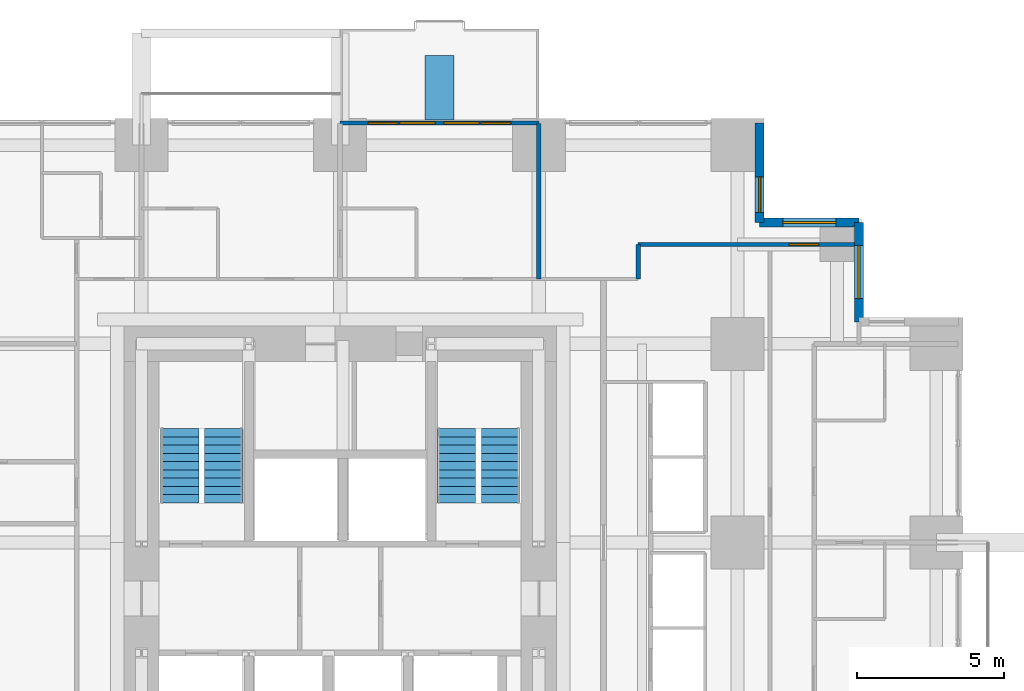
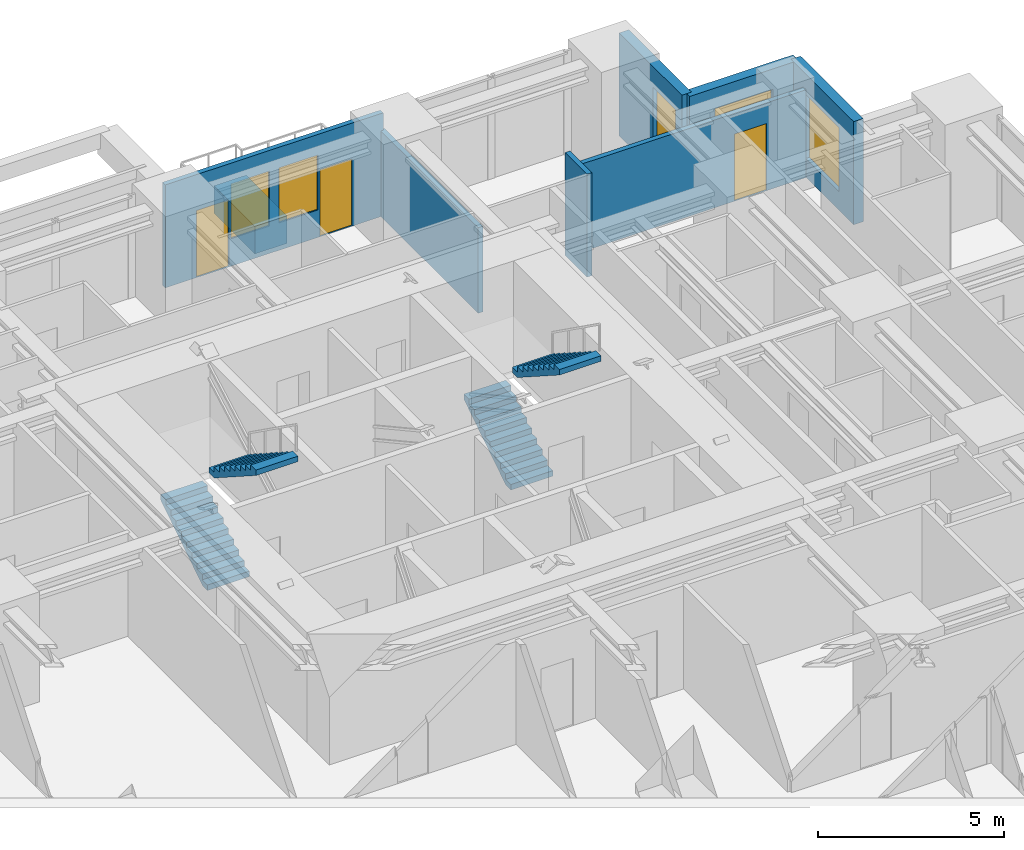
# One storey, part 11 of 12: 8 walls, 5 windows, 4 stair flights, 3 doors, 8 openings, 2 elements without a shape of their own.
"""IFC4 building model written with IfcOpenShell, lengths in metres."""

from ifc_helpers import new_model, si_unit, direction, frame, frame_2d, origin, place, context, subcontext, project, spatial, polyline, rectangle, outline, extrude, material, layer, layer_set, type_object, element, fill, aggregate, save


model = new_model("IFC4")

# Units and contexts
model_context = context("Model", 3, precision=1e-05, world=origin(), true_north=direction((0.0, 1.0)))
body_context = subcontext(model_context, "Body", "Model", "MODEL_VIEW")
ifc_project = project(units=[si_unit("LENGTHUNIT", "METRE"), si_unit("AREAUNIT", "SQUARE_METRE"), si_unit("VOLUMEUNIT", "CUBIC_METRE"), si_unit("PLANEANGLEUNIT", "RADIAN"), si_unit("MASSUNIT", "GRAM", prefix="KILO")], contexts=[model_context])

# Site, building, storey
site_placement = place(None, origin())
site = spatial("IfcSite", under=ifc_project, at=site_placement, CompositionType="ELEMENT")
building_placement = place(site_placement, origin())
building = spatial("IfcBuilding", under=site, at=building_placement, Name="Nyansa Garden Tower", CompositionType="ELEMENT")
storey_placement = place(building_placement, frame((0.0, 0.0, 90.89990234375)))
storey = spatial("IfcBuildingStorey", under=building, at=storey_placement, Name="L24", CompositionType="ELEMENT", Elevation=90.89990234375)

# Wall, openings, doors, windows
ifc_material_1 = material(Name="Black aluminium framed glazed screen", Category="aluminium")
ifc_layer_1 = layer(ifc_material_1, 0.14990234375)
ifc_layer_set_1 = layer_set([ifc_layer_1], Name="Balcony screen wall BW150")
wall_type_1 = type_object("IfcWallType", Name="Balcony screen wall BW150", PredefinedType="SOLIDWALL", material=ifc_layer_set_1)
wall_1_placement = place(storey_placement, frame((20.25, 34.5, 0.0), z_axis=(0.0, 0.0, 1.0), x_axis=(1.0, 0.0, 0.0)))
wall_1 = element("IfcWall", 1, at=wall_1_placement, inside=storey, type_object=wall_type_1, Name="Glazed screen wall L24 N", PredefinedType="SOLIDWALL", context=body_context, shape_type="SweptSolid", body=[
    extrude(rectangle(XDim=6.75, YDim=0.14990234375, at=frame_2d((3.375, 0.0))), origin(), (0.0, 0.0, 1.0), 3.375),
])
opening_1_placement = place(wall_1_placement, frame((0.96240234375, 0.0, 0.0)))
opening_1 = element("IfcOpeningElement", 2, at=opening_1_placement, cuts=wall_1, Name="Opening D20", PredefinedType="OPENING", context=body_context, shape_type="SweptSolid", body=[
    extrude(rectangle(XDim=1.0, YDim=2.199951171875, at=frame_2d((0.5, 1.10009765625))), frame((0.0, 0.0849609375, 0.0), z_axis=(0.0, -1.0, 0.0), x_axis=(1.0, 0.0, 0.0)), (0.0, 0.0, 1.0), 0.169921875),
])
opening_2_placement = place(wall_1_placement, frame((2.02490234375, 0.0, 0.89990234375)))
opening_2 = element("IfcOpeningElement", 3, at=opening_2_placement, cuts=wall_1, Name="Opening W6", PredefinedType="OPENING", context=body_context, shape_type="SweptSolid", body=[
    extrude(rectangle(XDim=1.199951171875, YDim=1.800048828125, at=frame_2d((0.60009765625, 0.89990234375))), frame((0.0, 0.0849609375, 0.0), z_axis=(0.0, -1.0, 0.0), x_axis=(1.0, 0.0, 0.0)), (0.0, 0.0, 1.0), 0.169921875),
])
opening_3_placement = place(wall_1_placement, frame((4.78759765625, 0.0, 0.0)))
opening_3 = element("IfcOpeningElement", 4, at=opening_3_placement, cuts=wall_1, Name="Opening D20", PredefinedType="OPENING", context=body_context, shape_type="SweptSolid", body=[
    extrude(rectangle(XDim=1.0, YDim=2.199951171875, at=frame_2d((0.5, 1.10009765625))), frame((0.0, 0.0849609375, 0.0), z_axis=(0.0, -1.0, 0.0), x_axis=(1.0, 0.0, 0.0)), (0.0, 0.0, 1.0), 0.169921875),
])
opening_4_placement = place(wall_1_placement, frame((3.52490234375, 0.0, 0.89990234375)))
opening_4 = element("IfcOpeningElement", 5, at=opening_4_placement, cuts=wall_1, Name="Opening W6", PredefinedType="OPENING", context=body_context, shape_type="SweptSolid", body=[
    extrude(rectangle(XDim=1.199951171875, YDim=1.800048828125, at=frame_2d((0.60009765625, 0.89990234375))), frame((0.0, 0.0849609375, 0.0), z_axis=(0.0, -1.0, 0.0), x_axis=(1.0, 0.0, 0.0)), (0.0, 0.0, 1.0), 0.169921875),
])
ifc_material_2 = material(Name="Black aluminium framed glazed door", Category="aluminium")
door_type_1 = type_object("IfcDoorType", Name="Balcony door D20 1000x2200", OperationType="NOTDEFINED", PredefinedType="DOOR", material=ifc_material_2)
door_1_placement = place(opening_1_placement, origin())
door_1 = element("IfcDoor", 6, at=door_1_placement, inside=storey, type_object=door_type_1, Name="Balcony door L24", OperationType="SINGLE_SWING_LEFT", OverallHeight=2.199951171875, OverallWidth=1.0, PredefinedType="DOOR", context=body_context, shape_type="SweptSolid", body=[
    extrude(rectangle(XDim=1.0, YDim=2.199951171875, at=frame_2d((0.5, 1.10009765625))), frame((0.0, 0.02490234375, 0.0), z_axis=(0.0, -1.0, 0.0), x_axis=(1.0, 0.0, 0.0)), (0.0, 0.0, 1.0), 0.050048828125),
])
fill(opening_1, door_1)
door_2_placement = place(opening_3_placement, origin())
door_2 = element("IfcDoor", 7, at=door_2_placement, inside=storey, type_object=door_type_1, Name="Balcony door L24", OperationType="SINGLE_SWING_RIGHT", OverallHeight=2.199951171875, OverallWidth=1.0, PredefinedType="DOOR", context=body_context, shape_type="SweptSolid", body=[
    extrude(rectangle(XDim=1.0, YDim=2.199951171875, at=frame_2d((0.5, 1.10009765625))), frame((0.0, 0.02490234375, 0.0), z_axis=(0.0, -1.0, 0.0), x_axis=(1.0, 0.0, 0.0)), (0.0, 0.0, 1.0), 0.050048828125),
])
fill(opening_3, door_2)
ifc_material_3 = material(Name="Black aluminium frame, dark tinted double glazing", Category="aluminium")
window_type_1 = type_object("IfcWindowType", Name="Balcony window W6 1200x1800", PartitioningType="SINGLE_PANEL", PredefinedType="WINDOW", material=ifc_material_3)
window_1_placement = place(opening_2_placement, origin())
window_1 = element("IfcWindow", 8, at=window_1_placement, inside=storey, type_object=window_type_1, Name="Window L24", OverallHeight=1.800048828125, OverallWidth=1.199951171875, PartitioningType="SINGLE_PANEL", PredefinedType="WINDOW", context=body_context, shape_type="SweptSolid", body=[
    extrude(rectangle(XDim=1.199951171875, YDim=1.800048828125, at=frame_2d((0.60009765625, 0.89990234375))), frame((0.0, 0.030029296875, 0.0), z_axis=(0.0, -1.0, 0.0), x_axis=(1.0, 0.0, 0.0)), (0.0, 0.0, 1.0), 0.06005859375),
])
fill(opening_2, window_1)
window_2_placement = place(opening_4_placement, origin())
window_2 = element("IfcWindow", 9, at=window_2_placement, inside=storey, type_object=window_type_1, Name="Window L24", OverallHeight=1.800048828125, OverallWidth=1.199951171875, PartitioningType="SINGLE_PANEL", PredefinedType="WINDOW", context=body_context, shape_type="SweptSolid", body=[
    extrude(rectangle(XDim=1.199951171875, YDim=1.800048828125, at=frame_2d((0.60009765625, 0.89990234375))), frame((0.0, 0.030029296875, 0.0), z_axis=(0.0, -1.0, 0.0), x_axis=(1.0, 0.0, 0.0)), (0.0, 0.0, 1.0), 0.06005859375),
])
fill(opening_4, window_2)

# Walls
ifc_material_4 = material(Name="Blockwork, plastered both sides", Category="masonry")
ifc_layer_2 = layer(ifc_material_4, 0.14990234375)
ifc_layer_set_2 = layer_set([ifc_layer_2], Name="Partition PW150")
wall_type_2 = type_object("IfcWallType", Name="Partition PW150", PredefinedType="PARTITIONING", material=ifc_layer_set_2)
wall_2_placement = place(storey_placement, frame((27.0, 29.199951171875, 0.0), z_axis=(0.0, 0.0, 1.0), x_axis=(0.0, 1.0, 0.0)))
element("IfcWall", 10, at=wall_2_placement, inside=storey, type_object=wall_type_2, Name="Partition", PredefinedType="PARTITIONING", context=body_context, shape_type="SweptSolid", body=[
    extrude(rectangle(XDim=5.283935546875, YDim=0.14990234375, at=frame_2d((2.64208984375, 0.0))), origin(), (0.0, 0.0, 1.0), 2.80615234375),
])
wall_3_placement = place(storey_placement, frame((30.375, 29.199951171875, 0.0), z_axis=(0.0, 0.0, 1.0), x_axis=(0.0, 1.0, 0.0)))
element("IfcWall", 11, at=wall_3_placement, inside=storey, type_object=wall_type_2, Name="Partition", PredefinedType="PARTITIONING", context=body_context, shape_type="SweptSolid", body=[
    extrude(rectangle(XDim=1.175048828125, YDim=0.14990234375, at=frame_2d((0.58740234375, 0.0))), origin(), (0.0, 0.0, 1.0), 3.375),
])

# Wall, opening, door
wall_4_placement = place(storey_placement, frame((30.375, 30.375, 0.0), z_axis=(0.0, 0.0, 1.0), x_axis=(1.0, 0.0, 0.0)))
wall_4 = element("IfcWall", 12, at=wall_4_placement, inside=storey, type_object=wall_type_2, Name="Partition", PredefinedType="PARTITIONING", context=body_context, shape_type="SweptSolid", body=[
    extrude(rectangle(XDim=7.35009765625, YDim=0.14990234375, at=frame_2d((3.675048828125, 0.0))), origin(), (0.0, 0.0, 1.0), 2.877197265625),
])
opening_5_placement = place(wall_4_placement, frame((5.125, 0.0, 0.0)))
opening_5 = element("IfcOpeningElement", 13, at=opening_5_placement, cuts=wall_4, Name="Opening D03", PredefinedType="OPENING", context=body_context, shape_type="SweptSolid", body=[
    extrude(rectangle(XDim=1.0, YDim=2.199951171875, at=frame_2d((0.5, 1.10009765625))), frame((0.0, 0.0849609375, 0.0), z_axis=(0.0, -1.0, 0.0), x_axis=(1.0, 0.0, 0.0)), (0.0, 0.0, 1.0), 0.169921875),
])
ifc_material_5 = material(Name="Timber flush door, 60 minute fire resisting", Category="wood")
door_type_2 = type_object("IfcDoorType", Name="Cluster entrance door D03 1000x2200", OperationType="SINGLE_SWING_LEFT", PredefinedType="DOOR", material=ifc_material_5)
door_3_placement = place(opening_5_placement, origin())
door_3 = element("IfcDoor", 14, at=door_3_placement, inside=storey, type_object=door_type_2, Name="Door L24-044", OperationType="SINGLE_SWING_LEFT", OverallHeight=2.199951171875, OverallWidth=1.0, PredefinedType="DOOR", context=body_context, shape_type="SweptSolid", body=[
    extrude(rectangle(XDim=1.0, YDim=2.199951171875, at=frame_2d((0.5, 1.10009765625))), frame((0.0, 0.02490234375, 0.0), z_axis=(0.0, -1.0, 0.0), x_axis=(1.0, 0.0, 0.0)), (0.0, 0.0, 1.0), 0.050048828125),
])
fill(opening_5, door_3)

# Wall, opening, window
ifc_material_6 = material(Name="Turquoise glazed tile on concrete blockwork", Category="masonry")
ifc_layer_3 = layer(ifc_material_6, 0.300048828125)
ifc_layer_set_3 = layer_set([ifc_layer_3], Name="Tiled corner wall TW300")
wall_type_3 = type_object("IfcWallType", Name="Tiled corner wall TW300", PredefinedType="SOLIDWALL", material=ifc_layer_set_3)
wall_5_placement = place(storey_placement, frame((37.875, 27.75, 0.0), z_axis=(0.0, 0.0, 1.0), x_axis=(0.0, 1.0, 0.0)))
wall_5 = element("IfcWall", 15, at=wall_5_placement, inside=storey, type_object=wall_type_3, Name="Tiled corner wall L24", PredefinedType="SOLIDWALL", context=body_context, shape_type="SweptSolid", body=[
    extrude(rectangle(XDim=3.375, YDim=0.300048828125, at=frame_2d((1.6875, 0.0))), origin(), (0.0, 0.0, 1.0), 3.375),
])
opening_6_placement = place(wall_5_placement, frame((0.78759765625, 0.0, 0.60009765625)))
opening_6 = element("IfcOpeningElement", 16, at=opening_6_placement, cuts=wall_5, Name="Opening W2", PredefinedType="OPENING", context=body_context, shape_type="SweptSolid", body=[
    extrude(rectangle(XDim=1.800048828125, YDim=2.10009765625, at=frame_2d((0.89990234375, 1.050048828125))), frame((0.0, 0.159912109375, 0.0), z_axis=(0.0, -1.0, 0.0), x_axis=(1.0, 0.0, 0.0)), (0.0, 0.0, 1.0), 0.320068359375),
])
ifc_material_7 = material(Name="Black aluminium frame, dark tinted double glazing", Category="aluminium")
window_type_2 = type_object("IfcWindowType", Name="Window W2 1800x2100", PartitioningType="SINGLE_PANEL", PredefinedType="WINDOW", material=ifc_material_7)
window_3_placement = place(opening_6_placement, origin())
window_3 = element("IfcWindow", 17, at=window_3_placement, inside=storey, type_object=window_type_2, Name="Corner window L24", OverallHeight=2.10009765625, OverallWidth=1.800048828125, PartitioningType="SINGLE_PANEL", PredefinedType="WINDOW", context=body_context, shape_type="SweptSolid", body=[
    extrude(rectangle(XDim=1.800048828125, YDim=2.10009765625, at=frame_2d((0.89990234375, 1.050048828125))), frame((0.0, 0.030029296875, 0.0), z_axis=(0.0, -1.0, 0.0), x_axis=(1.0, 0.0, 0.0)), (0.0, 0.0, 1.0), 0.06005859375),
])
fill(opening_6, window_3)

wall_6_placement = place(storey_placement, frame((37.875, 31.125, 0.0), z_axis=(0.0, 0.0, 1.0), x_axis=(-1.0, 0.0, 0.0)))
wall_6 = element("IfcWall", 18, at=wall_6_placement, inside=storey, type_object=wall_type_3, Name="Tiled corner wall L24", PredefinedType="SOLIDWALL", context=body_context, shape_type="SweptSolid", body=[
    extrude(rectangle(XDim=3.375, YDim=0.300048828125, at=frame_2d((1.6875, 0.0))), origin(), (0.0, 0.0, 1.0), 3.375),
])
opening_7_placement = place(wall_6_placement, frame((0.78759765625, 0.0, 0.60009765625)))
opening_7 = element("IfcOpeningElement", 19, at=opening_7_placement, cuts=wall_6, Name="Opening W2", PredefinedType="OPENING", context=body_context, shape_type="SweptSolid", body=[
    extrude(rectangle(XDim=1.800048828125, YDim=2.10009765625, at=frame_2d((0.89990234375, 1.050048828125))), frame((0.0, 0.159912109375, 0.0), z_axis=(0.0, -1.0, 0.0), x_axis=(1.0, 0.0, 0.0)), (0.0, 0.0, 1.0), 0.320068359375),
])
window_4_placement = place(opening_7_placement, origin())
window_4 = element("IfcWindow", 20, at=window_4_placement, inside=storey, type_object=window_type_2, Name="Corner window L24", OverallHeight=2.10009765625, OverallWidth=1.800048828125, PartitioningType="SINGLE_PANEL", PredefinedType="WINDOW", context=body_context, shape_type="SweptSolid", body=[
    extrude(rectangle(XDim=1.800048828125, YDim=2.10009765625, at=frame_2d((0.89990234375, 1.050048828125))), frame((0.0, 0.030029296875, 0.0), z_axis=(0.0, -1.0, 0.0), x_axis=(1.0, 0.0, 0.0)), (0.0, 0.0, 1.0), 0.06005859375),
])
fill(opening_7, window_4)

wall_7_placement = place(storey_placement, frame((34.5, 31.125, 0.0), z_axis=(0.0, 0.0, 1.0), x_axis=(0.0, 1.0, 0.0)))
wall_7 = element("IfcWall", 21, at=wall_7_placement, inside=storey, type_object=wall_type_3, Name="Tiled corner wall L24", PredefinedType="SOLIDWALL", context=body_context, shape_type="SweptSolid", body=[
    extrude(rectangle(XDim=3.375, YDim=0.300048828125, at=frame_2d((1.6875, 0.0))), origin(), (0.0, 0.0, 1.0), 3.375),
])
opening_8_placement = place(wall_7_placement, frame((0.342529296875, 0.0, 0.89990234375)))
opening_8 = element("IfcOpeningElement", 22, at=opening_8_placement, cuts=wall_7, Name="Opening W4", PredefinedType="OPENING", context=body_context, shape_type="SweptSolid", body=[
    extrude(rectangle(XDim=1.199951171875, YDim=1.800048828125, at=frame_2d((0.60009765625, 0.89990234375))), frame((0.0, 0.159912109375, 0.0), z_axis=(0.0, -1.0, 0.0), x_axis=(1.0, 0.0, 0.0)), (0.0, 0.0, 1.0), 0.320068359375),
])
ifc_material_8 = material(Name="Black aluminium frame, dark tinted double glazing", Category="aluminium")
window_type_3 = type_object("IfcWindowType", Name="Window W4 1200x1800", PartitioningType="SINGLE_PANEL", PredefinedType="WINDOW", material=ifc_material_8)
window_5_placement = place(opening_8_placement, origin())
window_5 = element("IfcWindow", 23, at=window_5_placement, inside=storey, type_object=window_type_3, Name="Corner window L24", OverallHeight=1.800048828125, OverallWidth=1.199951171875, PartitioningType="SINGLE_PANEL", PredefinedType="WINDOW", context=body_context, shape_type="SweptSolid", body=[
    extrude(rectangle(XDim=1.199951171875, YDim=1.800048828125, at=frame_2d((0.60009765625, 0.89990234375))), frame((0.0, 0.030029296875, 0.0), z_axis=(0.0, -1.0, 0.0), x_axis=(1.0, 0.0, 0.0)), (0.0, 0.0, 1.0), 0.06005859375),
])
fill(opening_8, window_5)

# Wall
ifc_material_9 = material(Name="Concrete C40/50 planter, waterproofed", Category="concrete")
ifc_layer_4 = layer(ifc_material_9, 1.0)
ifc_layer_set_4 = layer_set([ifc_layer_4], Name="Tree planter TP1")
wall_type_4 = type_object("IfcWallType", Name="Tree planter TP1", PredefinedType="USERDEFINED", material=ifc_layer_set_4)
wall_8_placement = place(storey_placement, frame((23.625, 34.60009765625, 0.0), z_axis=(0.0, 0.0, 1.0), x_axis=(0.0, 1.0, 0.0)))
element("IfcWall", 24, at=wall_8_placement, inside=storey, type_object=wall_type_4, Name="Tree planter L24", ObjectType="TREE PLANTER", PredefinedType="USERDEFINED", context=body_context, shape_type="SweptSolid", body=[
    extrude(rectangle(XDim=2.199951171875, YDim=1.0, at=frame_2d((1.10009765625, 0.0))), origin(), (0.0, 0.0, 1.0), 0.900146484375),
])

# Stair, stair flights
ifc_material_10 = material(Name="Precast concrete C40/50", Category="concrete")
stair_type_1 = type_object("IfcStairType", Name="Stair S1 180x280", PredefinedType="HALF_TURN_STAIR", material=ifc_material_10)
stair_1_placement = place(storey_placement, origin())
stair_1 = element("IfcStair", 25, at=stair_1_placement, inside=storey, type_object=stair_type_1, Name="Stair S1 L24", PredefinedType="HALF_TURN_STAIR")
ifc_material_11 = material(Name="Precast concrete C40/50", Category="concrete")
stair_flight_type_1 = type_object("IfcStairFlightType", Name="Stair flight S1 180x280x10", PredefinedType="STRAIGHT", material=ifc_material_11)
stair_flight_1_placement = place(storey_placement, frame((14.800048828125, 21.60009765625, 0.0), z_axis=(0.0, 0.0, 1.0), x_axis=(0.0, 1.0, 0.0)))
stair_flight_1 = element("IfcStairFlight", 26, at=stair_flight_1_placement, type_object=stair_flight_type_1, Name="S1 flight 1", NumberOfRisers=10, NumberOfTreads=9, PredefinedType="STRAIGHT", RiserHeight=0.18, TreadLength=0.28, context=body_context, shape_type="SweptSolid", body=[
    extrude(outline(polyline([(0.0, 0.0), (0.0, 0.179931640625), (0.280029296875, 0.179931640625), (0.280029296875, 0.360107421875), (0.56005859375, 0.360107421875), (0.56005859375, 0.5400390625), (0.840087890625, 0.5400390625), (0.840087890625, 0.719970703125), (1.1201171875, 0.719970703125), (1.1201171875, 0.89990234375), (1.39990234375, 0.89990234375), (1.39990234375, 1.080078125), (1.679931640625, 1.080078125), (1.679931640625, 1.260009765625), (1.9599609375, 1.260009765625), (1.9599609375, 1.43994140625), (2.239990234375, 1.43994140625), (2.239990234375, 1.6201171875), (2.52001953125, 1.6201171875), (2.52001953125, 1.800048828125), (2.52001953125, 1.44189453125), (0.277099609375, 0.0), (0.0, 0.0)])), frame((0.0, 0.64990234375, 0.0), z_axis=(0.0, -1.0, 0.0), x_axis=(1.0, 0.0, 0.0)), (0.0, 0.0, 1.0), 1.300048828125),
])
stair_flight_2_placement = place(storey_placement, frame((16.300048828125, 24.1201171875, 1.800048828125), z_axis=(0.0, 0.0, 1.0), x_axis=(0.0, -1.0, 0.0)))
stair_flight_2 = element("IfcStairFlight", 27, at=stair_flight_2_placement, type_object=stair_flight_type_1, Name="S1 flight 2", NumberOfRisers=10, NumberOfTreads=9, PredefinedType="STRAIGHT", RiserHeight=0.18, TreadLength=0.28, context=body_context, shape_type="SweptSolid", body=[
    extrude(outline(polyline([(0.0, 0.0), (0.0, 0.179931640625), (0.280029296875, 0.179931640625), (0.280029296875, 0.360107421875), (0.56005859375, 0.360107421875), (0.56005859375, 0.5400390625), (0.840087890625, 0.5400390625), (0.840087890625, 0.719970703125), (1.1201171875, 0.719970703125), (1.1201171875, 0.89990234375), (1.39990234375, 0.89990234375), (1.39990234375, 1.080078125), (1.679931640625, 1.080078125), (1.679931640625, 1.260009765625), (1.9599609375, 1.260009765625), (1.9599609375, 1.43994140625), (2.239990234375, 1.43994140625), (2.239990234375, 1.6201171875), (2.52001953125, 1.6201171875), (2.52001953125, 1.800048828125), (2.52001953125, 1.44189453125), (0.277099609375, 0.0), (0.0, 0.0)])), frame((0.0, 0.64990234375, 0.0), z_axis=(0.0, -1.0, 0.0), x_axis=(1.0, 0.0, 0.0)), (0.0, 0.0, 1.0), 1.300048828125),
])
aggregate(stair_1, [stair_flight_1, stair_flight_2])

ifc_material_12 = material(Name="Precast concrete C40/50", Category="concrete")
stair_type_2 = type_object("IfcStairType", Name="Stair S2 180x280", PredefinedType="HALF_TURN_STAIR", material=ifc_material_12)
stair_2_placement = place(storey_placement, origin())
stair_2 = element("IfcStair", 28, at=stair_2_placement, inside=storey, type_object=stair_type_2, Name="Stair S2 L24", PredefinedType="HALF_TURN_STAIR")
ifc_material_13 = material(Name="Precast concrete C40/50", Category="concrete")
stair_flight_type_2 = type_object("IfcStairFlightType", Name="Stair flight S2 180x280x10", PredefinedType="STRAIGHT", material=ifc_material_13)
stair_flight_3_placement = place(storey_placement, frame((24.199951171875, 21.60009765625, 0.0), z_axis=(0.0, 0.0, 1.0), x_axis=(0.0, 1.0, 0.0)))
stair_flight_3 = element("IfcStairFlight", 29, at=stair_flight_3_placement, type_object=stair_flight_type_2, Name="S2 flight 1", NumberOfRisers=10, NumberOfTreads=9, PredefinedType="STRAIGHT", RiserHeight=0.18, TreadLength=0.28, context=body_context, shape_type="SweptSolid", body=[
    extrude(outline(polyline([(0.0, 0.0), (0.0, 0.179931640625), (0.280029296875, 0.179931640625), (0.280029296875, 0.360107421875), (0.56005859375, 0.360107421875), (0.56005859375, 0.5400390625), (0.840087890625, 0.5400390625), (0.840087890625, 0.719970703125), (1.1201171875, 0.719970703125), (1.1201171875, 0.89990234375), (1.39990234375, 0.89990234375), (1.39990234375, 1.080078125), (1.679931640625, 1.080078125), (1.679931640625, 1.260009765625), (1.9599609375, 1.260009765625), (1.9599609375, 1.43994140625), (2.239990234375, 1.43994140625), (2.239990234375, 1.6201171875), (2.52001953125, 1.6201171875), (2.52001953125, 1.800048828125), (2.52001953125, 1.44189453125), (0.277099609375, 0.0), (0.0, 0.0)])), frame((0.0, 0.64990234375, 0.0), z_axis=(0.0, -1.0, 0.0), x_axis=(1.0, 0.0, 0.0)), (0.0, 0.0, 1.0), 1.300048828125),
])
stair_flight_4_placement = place(storey_placement, frame((25.699951171875, 24.1201171875, 1.800048828125), z_axis=(0.0, 0.0, 1.0), x_axis=(0.0, -1.0, 0.0)))
stair_flight_4 = element("IfcStairFlight", 30, at=stair_flight_4_placement, type_object=stair_flight_type_2, Name="S2 flight 2", NumberOfRisers=10, NumberOfTreads=9, PredefinedType="STRAIGHT", RiserHeight=0.18, TreadLength=0.28, context=body_context, shape_type="SweptSolid", body=[
    extrude(outline(polyline([(0.0, 0.0), (0.0, 0.179931640625), (0.280029296875, 0.179931640625), (0.280029296875, 0.360107421875), (0.56005859375, 0.360107421875), (0.56005859375, 0.5400390625), (0.840087890625, 0.5400390625), (0.840087890625, 0.719970703125), (1.1201171875, 0.719970703125), (1.1201171875, 0.89990234375), (1.39990234375, 0.89990234375), (1.39990234375, 1.080078125), (1.679931640625, 1.080078125), (1.679931640625, 1.260009765625), (1.9599609375, 1.260009765625), (1.9599609375, 1.43994140625), (2.239990234375, 1.43994140625), (2.239990234375, 1.6201171875), (2.52001953125, 1.6201171875), (2.52001953125, 1.800048828125), (2.52001953125, 1.44189453125), (0.277099609375, 0.0), (0.0, 0.0)])), frame((0.0, 0.64990234375, 0.0), z_axis=(0.0, -1.0, 0.0), x_axis=(1.0, 0.0, 0.0)), (0.0, 0.0, 1.0), 1.300048828125),
])
aggregate(stair_2, [stair_flight_3, stair_flight_4])

save(model, "model.ifc")
